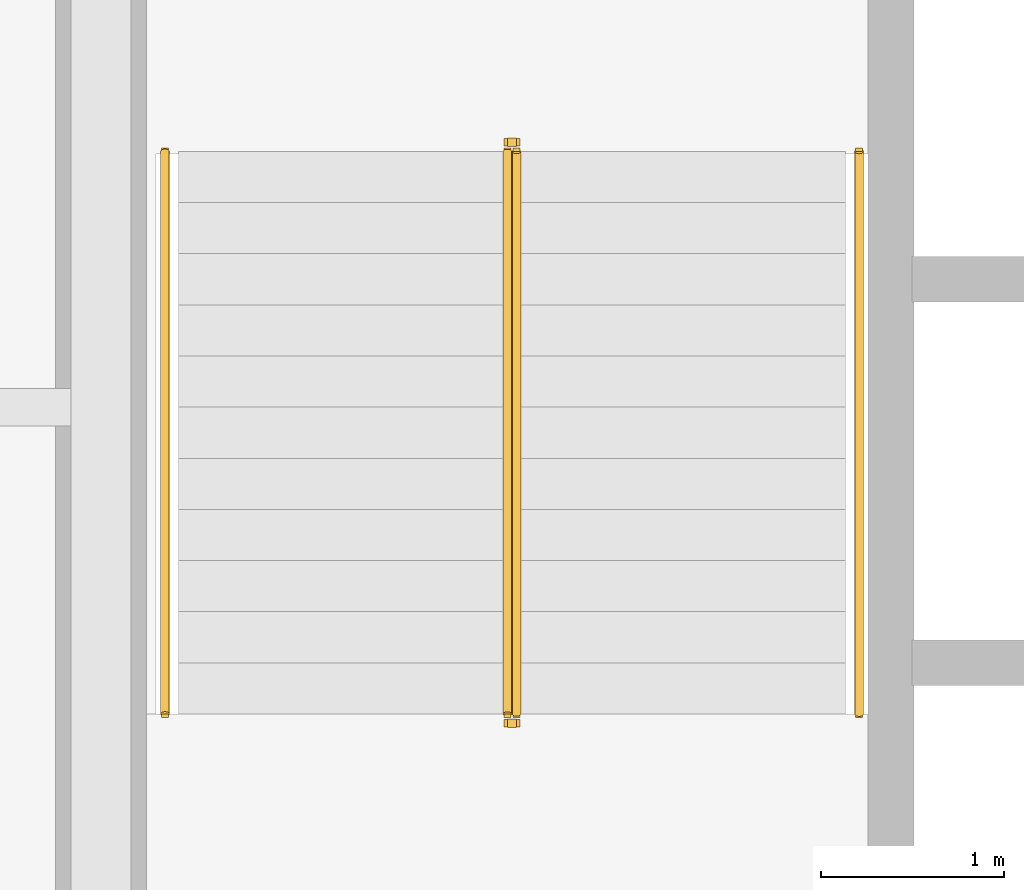
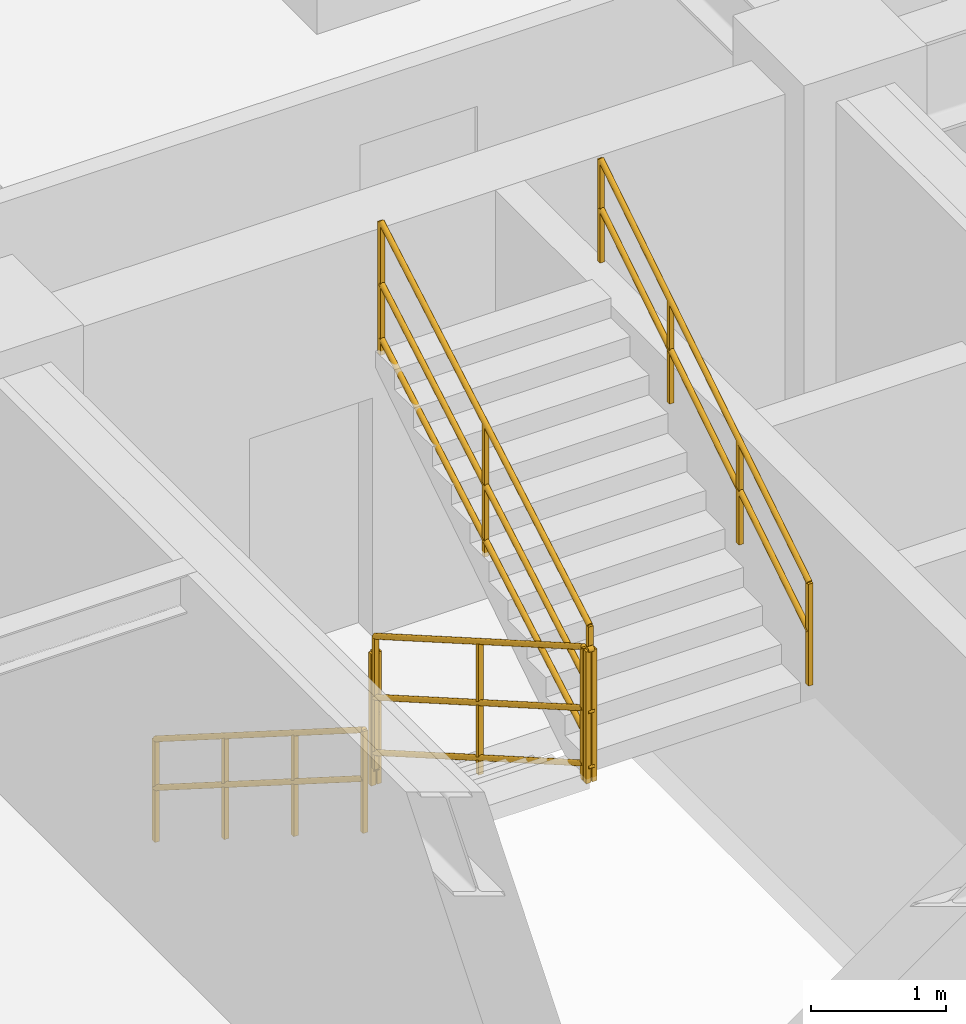
# One storey, part 10 of 10: 6 railings.
"""IFC4 building model written with IfcOpenShell, lengths in metres."""

import ifcopenshell
import ifcopenshell.guid

model = None  # the IFC model being written
_history = None  # IfcOwnerHistory: only IFC2X3 demands one
_inside = {}  # id of a spatial element -> (the spatial element, [elements in it])
_under = {}  # id of a project, library or spatial element -> (it, [spatial elements below it])
_declared = {}  # id of a project -> (the project, [libraries it declares])
_typed = {}  # id of a type object -> (the type object, [elements of that type])
_made_of = {}  # id of a material, layer set ... -> (it, [elements and type objects made of it])


def new_model(schema):
    """Start an empty IFC model of exactly this schema.

    Asked for "IFC4X3", IfcOpenShell would pick the latest addendum, in which some entities
    have other attributes; the version numbers below select the first issue.
    IFC2X3 requires an IfcOwnerHistory on every rooted entity: one is made here for all.
    """
    global model, _history
    if schema == "IFC4X3":
        model = ifcopenshell.file(schema_version=(4, 3, 0, 0))
    else:
        model = ifcopenshell.file(schema=schema)
    _inside.clear()
    _under.clear()
    _declared.clear()
    _typed.clear()
    _made_of.clear()
    _history = None
    if model.schema == "IFC2X3":
        org = make("IfcOrganization", Name="unknown")
        user = make(
            "IfcPersonAndOrganization",
            ThePerson=make("IfcPerson", FamilyName="unknown"),
            TheOrganization=org,
        )
        app = make(
            "IfcApplication",
            ApplicationDeveloper=org,
            Version="unknown",
            ApplicationFullName="unknown",
            ApplicationIdentifier="unknown",
        )
        _history = make(
            "IfcOwnerHistory",
            OwningUser=user,
            OwningApplication=app,
            ChangeAction="ADDED",
            CreationDate=0,
        )
    return model


def make(cls, **values):
    """One entity of the class cls with the attributes given. An attribute that is None is left unset."""
    return model.create_entity(
        cls, **{name: value for name, value in values.items() if value is not None}
    )


def entity(cls, *values):
    """Any entity or typed value of the class cls, its attributes in the order of the schema. None: left unset."""
    e = model.create_entity(cls)
    for i, value in enumerate(values):
        if value is not None:
            e[i] = value
    return e


def rooted(cls, **values):
    """An entity with a GlobalId (a new one), such as an element, a storey or a relation."""
    return make(cls, GlobalId=ifcopenshell.guid.new(), OwnerHistory=_history, **values)


def si_unit(unit_type, name, prefix=None):
    """IfcSIUnit, for example si_unit("LENGTHUNIT", "METRE", prefix="MILLI")."""
    return make("IfcSIUnit", UnitType=unit_type, Prefix=prefix, Name=name)


def converted_unit(unit_type, name, factor, base, dimensions=None, offset=None):
    """IfcConversionBasedUnit, such as the inch: factor (a typed value) times the base unit."""
    return make(
        "IfcConversionBasedUnit"
        if offset is None
        else "IfcConversionBasedUnitWithOffset",
        ConversionOffset=offset,
        Dimensions=None
        if dimensions is None
        else entity("IfcDimensionalExponents", *dimensions),
        UnitType=unit_type,
        Name=name,
        ConversionFactor=make(
            "IfcMeasureWithUnit", ValueComponent=factor, UnitComponent=base
        ),
    )


def assignment(units):
    """IfcUnitAssignment: the units of a project."""
    return None if units is None else make("IfcUnitAssignment", Units=units)


def point(xyz):
    """IfcCartesianPoint."""
    return None if xyz is None else make("IfcCartesianPoint", Coordinates=xyz)


def direction(xyz):
    """IfcDirection."""
    return None if xyz is None else make("IfcDirection", DirectionRatios=xyz)


def frame(location, z_axis=None, x_axis=None):
    """IfcAxis2Placement3D, a coordinate frame: its origin and axes. An axis left out is left unset."""
    return make(
        "IfcAxis2Placement3D",
        Location=point(location),
        Axis=direction(z_axis),
        RefDirection=direction(x_axis),
    )


def frame_2d(location, x_axis=None):
    """IfcAxis2Placement2D, a coordinate frame in the plane: its origin and x axis."""
    return make(
        "IfcAxis2Placement2D", Location=point(location), RefDirection=direction(x_axis)
    )


def origin_with_axes():
    """The frame at (0, 0, 0) with the z axis (0, 0, 1) and the x axis (1, 0, 0) written out."""
    return frame((0.0, 0.0, 0.0), z_axis=(0.0, 0.0, 1.0), x_axis=(1.0, 0.0, 0.0))


def origin_2d_with_axis():
    """The frame at (0, 0) in the plane with the x axis (1, 0) written out."""
    return frame_2d((0.0, 0.0), x_axis=(1.0, 0.0))


def place(relative_to, where):
    """IfcLocalPlacement: puts the frame where relative to a parent placement (None: the world)."""
    return make(
        "IfcLocalPlacement", PlacementRelTo=relative_to, RelativePlacement=where
    )


def context(
    kind, dimensions, precision=None, world=None, true_north=None, identifier=None
):
    """IfcGeometricRepresentationContext, for example the 3D "Model" context."""
    return make(
        "IfcGeometricRepresentationContext",
        ContextIdentifier=identifier,
        ContextType=kind,
        CoordinateSpaceDimension=dimensions,
        Precision=precision,
        WorldCoordinateSystem=world,
        TrueNorth=true_north,
    )


def subcontext(parent, identifier, kind, view, scale=None):
    """IfcGeometricRepresentationSubContext, for example "Body" below "Model"."""
    return make(
        "IfcGeometricRepresentationSubContext",
        ContextIdentifier=identifier,
        ContextType=kind,
        ParentContext=parent,
        TargetScale=scale,
        TargetView=view,
    )


def project(units=None, contexts=None):
    """IfcProject with its units and contexts."""
    return rooted(
        "IfcProject",
        Name="project",
        RepresentationContexts=contexts,
        UnitsInContext=assignment(units),
    )


def spatial(cls, under=None, at=None, **own):
    """A site, building, storey or space (cls), placed at a placement, below another one or the project."""
    s = rooted(cls, ObjectPlacement=at, **own)
    if under is not None:
        _under.setdefault(under.id(), (under, []))[1].append(s)
    return s


def profile(cls, at=None, kind="AREA", **sizes):
    """A parametric profile (cls). Its sizes go by their IFC names, for example OverallWidth=200.0."""
    return make(cls, ProfileType=kind, Position=at, **sizes)


def rectangle(**sizes):
    """IfcRectangleProfileDef."""
    return profile("IfcRectangleProfileDef", **sizes)


def circle(**sizes):
    """IfcCircleProfileDef."""
    return profile("IfcCircleProfileDef", **sizes)


def extrude(swept, where, along, depth):
    """IfcExtrudedAreaSolid: the profile swept, set in the frame where, extruded along a direction by depth."""
    return make(
        "IfcExtrudedAreaSolid",
        SweptArea=swept,
        Position=where,
        ExtrudedDirection=direction(along),
        Depth=depth,
    )


def shape(context_of_items, identifier, shape_type, items):
    """IfcShapeRepresentation: the items that make up one representation, for example the "Body"."""
    return make(
        "IfcShapeRepresentation",
        ContextOfItems=context_of_items,
        RepresentationIdentifier=identifier,
        RepresentationType=shape_type,
        Items=items,
    )


def material(Name=None, Category=None):
    """IfcMaterial."""
    return make("IfcMaterial", Name=Name, Category=Category)


def made_of(thing, what):
    """Note that an element or type object is made of a material, layer set ...; save() writes the relation."""
    if what is not None:
        _made_of.setdefault(what.id(), (what, []))[1].append(thing)
    return thing


def type_object(cls, material=None, **own):
    """A type object (cls), such as IfcWallType, which elements share."""
    return made_of(rooted(cls, **own), material)


def element(
    cls,
    number,
    at=None,
    inside=None,
    cuts=None,
    type_object=None,
    material=None,
    context=None,
    identifier="Body",
    shape_type=None,
    held_by="IfcProductDefinitionShape",
    body=None,
    shapes=None,
    **own,
):
    """One element of the class cls, such as IfcWall. Its Tag is "e" and its number.

    at: its placement. inside: the storey or other place that contains it. cuts: it is an
    opening in that element (IfcRelVoidsElement). A single representation is given by context,
    identifier, shape_type and body (its items); several are given by shapes. held_by: the class
    of the entity that holds the representations. save() writes the other relations.
    """
    e = rooted(cls, Tag="e%d" % number, ObjectPlacement=at, **own)
    if body is not None:
        shapes = [shape(context, identifier, shape_type, body)]
    if shapes is not None:
        e.Representation = make(held_by, Representations=shapes)
    if inside is not None:
        _inside.setdefault(inside.id(), (inside, []))[1].append(e)
    if cuts is not None:
        rooted(
            "IfcRelVoidsElement", RelatingBuildingElement=cuts, RelatedOpeningElement=e
        )
    if type_object is not None:
        _typed.setdefault(type_object.id(), (type_object, []))[1].append(e)
    return made_of(e, material)


def aggregate(whole, parts):
    """IfcRelAggregates: a whole, such as a stair, and the parts it consists of."""
    return rooted("IfcRelAggregates", RelatingObject=whole, RelatedObjects=parts)


def save(model, path):
    """Write the relations noted so far, then the file.

    IfcRelAggregates (storeys below a building ...), IfcRelContainedInSpatialStructure (elements
    in a storey), IfcRelDefinesByType, IfcRelAssociatesMaterial and IfcRelDeclares: one each for
    every whole, place, type object, material and project.
    """
    for whole, parts in _under.values():
        aggregate(whole, parts)
    for where, things in _inside.values():
        rooted(
            "IfcRelContainedInSpatialStructure",
            RelatedElements=things,
            RelatingStructure=where,
        )
    for kind, things in _typed.values():
        rooted("IfcRelDefinesByType", RelatedObjects=things, RelatingType=kind)
    for what, things in _made_of.values():
        rooted("IfcRelAssociatesMaterial", RelatedObjects=things, RelatingMaterial=what)
    for by, libraries in _declared.values():
        rooted("IfcRelDeclares", RelatingContext=by, RelatedDefinitions=libraries)
    model.write(path)


model = new_model("IFC4")

# Units and contexts
model_context = context("Model", 3, precision=1e-05, world=origin_with_axes(), true_north=direction((0.0, 1.0)))
body_context = subcontext(model_context, "Body", "Model", "MODEL_VIEW")
ifc_project = project(units=[si_unit("LENGTHUNIT", "METRE"), si_unit("AREAUNIT", "SQUARE_METRE"), si_unit("VOLUMEUNIT", "CUBIC_METRE"), converted_unit("PLANEANGLEUNIT", "DEGREE", entity("IfcPlaneAngleMeasure", 0.017453292519943295), si_unit("PLANEANGLEUNIT", "RADIAN"), dimensions=[0, 0, 0, 0, 0, 0, 0]), si_unit("MASSUNIT", "GRAM", prefix="KILO"), si_unit("THERMODYNAMICTEMPERATUREUNIT", "KELVIN")], contexts=[model_context])

# Site, building, storey
site_placement = place(None, origin_with_axes())
site = spatial("IfcSite", under=ifc_project, at=site_placement, CompositionType="ELEMENT")
building_placement = place(site_placement, origin_with_axes())
building = spatial("IfcBuilding", under=site, at=building_placement, Name="Varnlund Millrace Tower", CompositionType="ELEMENT")
storey_placement = place(building_placement, frame((0.0, 0.0, 175.8), z_axis=(0.0, 0.0, 1.0), x_axis=(1.0, 0.0, 0.0)))
storey = spatial("IfcBuildingStorey", under=building, at=storey_placement, Name="L43", CompositionType="ELEMENT", Elevation=175.8)

# Railings
ifc_material_1 = material(Name="Painted steel stair well balustrade guard", Category="steel")
railing_type_1 = type_object("IfcRailingType", Name="Type-StairGuard-1150", PredefinedType="GUARDRAIL", material=ifc_material_1)
railing_1_placement = place(storey_placement, frame((0.0, 0.0, -175.8), z_axis=(0.0, 0.0, 1.0), x_axis=(1.0, 0.0, 0.0)))
element("IfcRailing", 1, at=railing_1_placement, inside=storey, type_object=railing_type_1, Name="Type-StairGuard-1150", PredefinedType="GUARDRAIL", context=body_context, shape_type="SweptSolid", body=[
    extrude(circle(Radius=0.024, at=origin_2d_with_axis()), frame((13.625, 35.9, 177.127273), z_axis=(0.0, -0.866696, 0.498836), x_axis=(1.0, 0.0, 0.0)), (0.0, 0.0, 1.0), 3.553725),
    extrude(circle(Radius=0.024, at=origin_2d_with_axis()), frame((13.625, 35.9, 176.077273), z_axis=(0.0, -0.866696, 0.498836), x_axis=(1.0, 0.0, 0.0)), (0.0, 0.0, 1.0), 3.553725),
    extrude(circle(Radius=0.024, at=origin_2d_with_axis()), frame((13.625, 35.9, 176.575273), z_axis=(0.0, -0.866696, 0.498836), x_axis=(1.0, 0.0, 0.0)), (0.0, 0.0, 1.0), 3.553725),
    extrude(rectangle(XDim=0.04, YDim=0.04, at=origin_2d_with_axis()), frame((13.625, 35.9, 175.937273), z_axis=(0.0, 0.0, 1.0), x_axis=(1.0, 0.0, 0.0)), (0.0, 0.0, 1.0), 1.19),
    extrude(rectangle(XDim=0.04, YDim=0.04, at=origin_2d_with_axis()), frame((13.625, 34.36, 176.823636), z_axis=(0.0, 0.0, 1.0), x_axis=(1.0, 0.0, 0.0)), (0.0, 0.0, 1.0), 1.19),
    extrude(rectangle(XDim=0.04, YDim=0.04, at=origin_2d_with_axis()), frame((13.625, 32.82, 177.71), z_axis=(0.0, 0.0, 1.0), x_axis=(1.0, 0.0, 0.0)), (0.0, 0.0, 1.0), 1.19),
])
railing_2_placement = place(storey_placement, frame((0.0, 0.0, -175.8), z_axis=(0.0, 0.0, 1.0), x_axis=(1.0, 0.0, 0.0)))
element("IfcRailing", 2, at=railing_2_placement, inside=storey, type_object=railing_type_1, Name="Type-StairGuard-1150", PredefinedType="GUARDRAIL", context=body_context, shape_type="SweptSolid", body=[
    extrude(circle(Radius=0.024, at=origin_2d_with_axis()), frame((13.675, 32.77, 178.9), z_axis=(-1.0, 0.0, 0.0), x_axis=(0.0, -1.0, 0.0)), (0.0, 0.0, 1.0), 0.05),
    extrude(circle(Radius=0.024, at=origin_2d_with_axis()), frame((13.675, 32.77, 177.85), z_axis=(-1.0, 0.0, 0.0), x_axis=(0.0, -1.0, 0.0)), (0.0, 0.0, 1.0), 0.05),
    extrude(circle(Radius=0.024, at=origin_2d_with_axis()), frame((13.675, 32.77, 178.348), z_axis=(-1.0, 0.0, 0.0), x_axis=(0.0, -1.0, 0.0)), (0.0, 0.0, 1.0), 0.05),
    extrude(rectangle(XDim=0.04, YDim=0.04, at=origin_2d_with_axis()), frame((13.675, 32.77, 177.71), z_axis=(0.0, 0.0, 1.0), x_axis=(1.0, 0.0, 0.0)), (0.0, 0.0, 1.0), 1.19),
    extrude(rectangle(XDim=0.04, YDim=0.04, at=origin_2d_with_axis()), frame((13.625, 32.77, 177.71), z_axis=(0.0, 0.0, 1.0), x_axis=(1.0, 0.0, 0.0)), (0.0, 0.0, 1.0), 1.19),
])
railing_3_placement = place(storey_placement, frame((0.0, 0.0, -175.8), z_axis=(0.0, 0.0, 1.0), x_axis=(1.0, 0.0, 0.0)))
element("IfcRailing", 3, at=railing_3_placement, inside=storey, type_object=railing_type_1, Name="Type-StairGuard-1150", PredefinedType="GUARDRAIL", context=body_context, shape_type="SweptSolid", body=[
    extrude(circle(Radius=0.024, at=origin_2d_with_axis()), frame((13.675, 32.82, 179.077273), z_axis=(0.0, 0.866696, 0.498836), x_axis=(-1.0, 0.0, 0.0)), (0.0, 0.0, 1.0), 3.553725),
    extrude(circle(Radius=0.024, at=origin_2d_with_axis()), frame((13.675, 32.82, 178.027273), z_axis=(0.0, 0.866696, 0.498836), x_axis=(-1.0, 0.0, 0.0)), (0.0, 0.0, 1.0), 3.553725),
    extrude(circle(Radius=0.024, at=origin_2d_with_axis()), frame((13.675, 32.82, 178.525273), z_axis=(0.0, 0.866696, 0.498836), x_axis=(-1.0, 0.0, 0.0)), (0.0, 0.0, 1.0), 3.553725),
    extrude(rectangle(XDim=0.04, YDim=0.04, at=origin_2d_with_axis()), frame((13.675, 32.82, 177.887273), z_axis=(0.0, 0.0, 1.0), x_axis=(1.0, 0.0, 0.0)), (0.0, 0.0, 1.0), 1.19),
    extrude(rectangle(XDim=0.04, YDim=0.04, at=origin_2d_with_axis()), frame((13.675, 34.36, 178.773637), z_axis=(0.0, 0.0, 1.0), x_axis=(1.0, 0.0, 0.0)), (0.0, 0.0, 1.0), 1.19),
    extrude(rectangle(XDim=0.04, YDim=0.04, at=origin_2d_with_axis()), frame((13.675, 35.9, 179.66), z_axis=(0.0, 0.0, 1.0), x_axis=(1.0, 0.0, 0.0)), (0.0, 0.0, 1.0), 1.19),
])
railing_4_placement = place(storey_placement, frame((0.0, 0.0, -175.8), z_axis=(0.0, 0.0, 1.0), x_axis=(1.0, 0.0, 0.0)))
element("IfcRailing", 4, at=railing_4_placement, inside=storey, type_object=railing_type_1, Name="Type-StairGuard-1150", PredefinedType="GUARDRAIL", context=body_context, shape_type="SweptSolid", body=[
    extrude(circle(Radius=0.024, at=origin_2d_with_axis()), frame((13.675, 35.95, 176.95), z_axis=(-1.0, 0.0, 0.0), x_axis=(0.0, -1.0, 0.0)), (0.0, 0.0, 1.0), 0.05),
    extrude(circle(Radius=0.024, at=origin_2d_with_axis()), frame((13.675, 35.95, 175.9), z_axis=(-1.0, 0.0, 0.0), x_axis=(0.0, -1.0, 0.0)), (0.0, 0.0, 1.0), 0.05),
    extrude(circle(Radius=0.024, at=origin_2d_with_axis()), frame((13.675, 35.95, 176.398), z_axis=(-1.0, 0.0, 0.0), x_axis=(0.0, -1.0, 0.0)), (0.0, 0.0, 1.0), 0.05),
    extrude(rectangle(XDim=0.04, YDim=0.04, at=origin_2d_with_axis()), frame((13.675, 35.95, 175.76), z_axis=(0.0, 0.0, 1.0), x_axis=(1.0, 0.0, 0.0)), (0.0, 0.0, 1.0), 1.19),
    extrude(rectangle(XDim=0.04, YDim=0.04, at=origin_2d_with_axis()), frame((13.625, 35.95, 175.76), z_axis=(0.0, 0.0, 1.0), x_axis=(1.0, 0.0, 0.0)), (0.0, 0.0, 1.0), 1.19),
])
ifc_material_2 = material(Name="Brushed architectural bronze stair handrail", Category="aluminium")
railing_type_2 = type_object("IfcRailingType", Name="Type-StairHandrail-900", PredefinedType="HANDRAIL", material=ifc_material_2)
railing_5_placement = place(storey_placement, frame((0.0, 0.0, -175.8), z_axis=(0.0, 0.0, 1.0), x_axis=(1.0, 0.0, 0.0)))
element("IfcRailing", 5, at=railing_5_placement, inside=storey, type_object=railing_type_2, Name="Type-StairHandrail-900", PredefinedType="HANDRAIL", context=body_context, shape_type="SweptSolid", body=[
    extrude(circle(Radius=0.024, at=origin_2d_with_axis()), frame((11.75, 35.9, 176.856995), z_axis=(0.0, -0.844902, 0.534922), x_axis=(1.0, 0.0, 0.0)), (0.0, 0.0, 1.0), 3.645394),
    extrude(circle(Radius=0.024, at=origin_2d_with_axis()), frame((11.75, 35.9, 176.417134), z_axis=(0.0, -0.844902, 0.534922), x_axis=(1.0, 0.0, 0.0)), (0.0, 0.0, 1.0), 3.645394),
    extrude(rectangle(XDim=0.04, YDim=0.04, at=origin_2d_with_axis()), frame((11.75, 35.9, 175.937273), z_axis=(0.0, 0.0, 1.0), x_axis=(1.0, 0.0, 0.0)), (0.0, 0.0, 1.0), 0.919722),
    extrude(rectangle(XDim=0.04, YDim=0.04, at=origin_2d_with_axis()), frame((11.75, 34.873333, 176.587273), z_axis=(0.0, 0.0, 1.0), x_axis=(1.0, 0.0, 0.0)), (0.0, 0.0, 1.0), 0.919722),
    extrude(rectangle(XDim=0.04, YDim=0.04, at=origin_2d_with_axis()), frame((11.75, 33.846667, 177.237273), z_axis=(0.0, 0.0, 1.0), x_axis=(1.0, 0.0, 0.0)), (0.0, 0.0, 1.0), 0.919722),
    extrude(rectangle(XDim=0.04, YDim=0.04, at=origin_2d_with_axis()), frame((11.75, 32.82, 177.887273), z_axis=(0.0, 0.0, 1.0), x_axis=(1.0, 0.0, 0.0)), (0.0, 0.0, 1.0), 0.919722),
])
railing_6_placement = place(storey_placement, frame((0.0, 0.0, -175.8), z_axis=(0.0, 0.0, 1.0), x_axis=(1.0, 0.0, 0.0)))
element("IfcRailing", 6, at=railing_6_placement, inside=storey, type_object=railing_type_2, Name="Type-StairHandrail-900", PredefinedType="HANDRAIL", context=body_context, shape_type="SweptSolid", body=[
    extrude(circle(Radius=0.024, at=origin_2d_with_axis()), frame((15.55, 32.82, 178.806995), z_axis=(0.0, 0.844902, 0.534922), x_axis=(-1.0, 0.0, 0.0)), (0.0, 0.0, 1.0), 3.645394),
    extrude(circle(Radius=0.024, at=origin_2d_with_axis()), frame((15.55, 32.82, 178.367134), z_axis=(0.0, 0.844902, 0.534922), x_axis=(-1.0, 0.0, 0.0)), (0.0, 0.0, 1.0), 3.645394),
    extrude(rectangle(XDim=0.04, YDim=0.04, at=origin_2d_with_axis()), frame((15.55, 32.82, 177.887273), z_axis=(0.0, 0.0, 1.0), x_axis=(1.0, 0.0, 0.0)), (0.0, 0.0, 1.0), 0.919722),
    extrude(rectangle(XDim=0.04, YDim=0.04, at=origin_2d_with_axis()), frame((15.55, 33.846667, 178.537273), z_axis=(0.0, 0.0, 1.0), x_axis=(1.0, 0.0, 0.0)), (0.0, 0.0, 1.0), 0.919722),
    extrude(rectangle(XDim=0.04, YDim=0.04, at=origin_2d_with_axis()), frame((15.55, 34.873333, 179.187273), z_axis=(0.0, 0.0, 1.0), x_axis=(1.0, 0.0, 0.0)), (0.0, 0.0, 1.0), 0.919722),
    extrude(rectangle(XDim=0.04, YDim=0.04, at=origin_2d_with_axis()), frame((15.55, 35.9, 179.837273), z_axis=(0.0, 0.0, 1.0), x_axis=(1.0, 0.0, 0.0)), (0.0, 0.0, 1.0), 0.919722),
])

save(model, "model.ifc")
